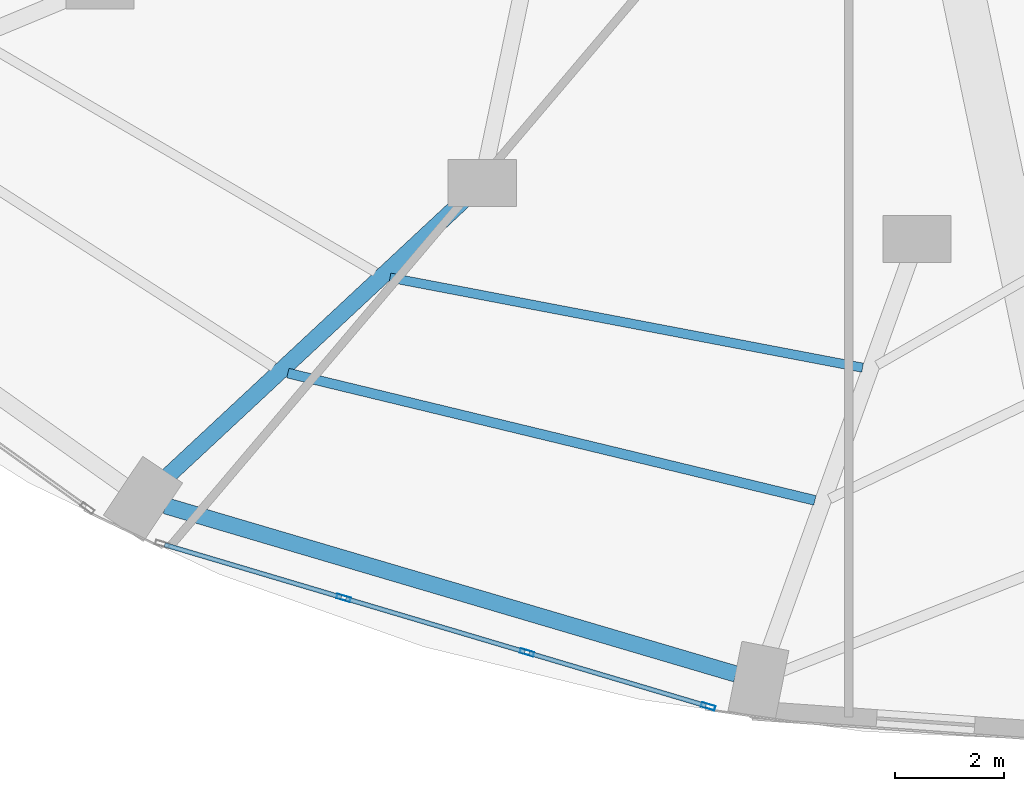
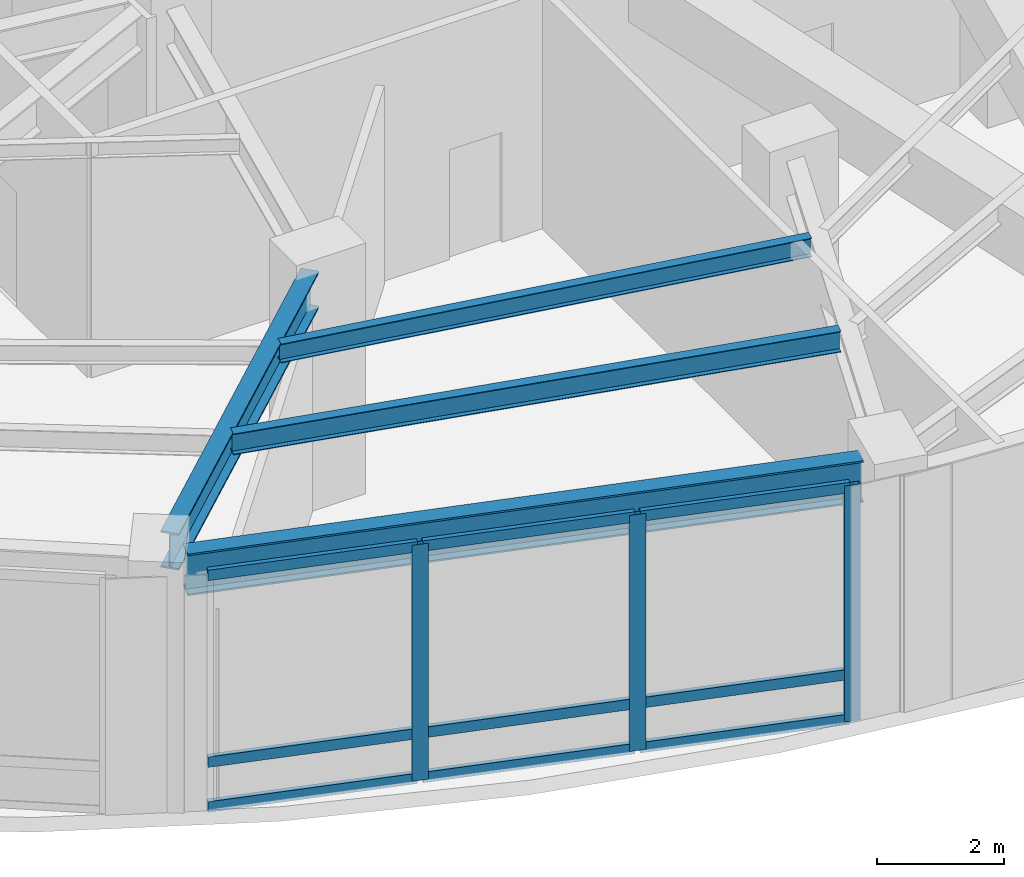
# One storey, part 3 of 24: 12 members, 4 beams, 1 element without a shape of its own.
"""IFC4 building model written with IfcOpenShell, lengths in metres."""

from ifc_helpers import new_model, si_unit, direction, frame, origin, origin_2d, place, context, subcontext, project, spatial, hollow_rectangle, i_section, extrude, material, layer, layer_set, material_profile, profile_set, type_object, element, aggregate, save


model = new_model("IFC4")

# Units and contexts
model_context = context("Model", 3, precision=1e-05, world=origin(), true_north=direction((0.0, 1.0)))
body_context = subcontext(model_context, "Body", "Model", "MODEL_VIEW")
ifc_project = project(units=[si_unit("LENGTHUNIT", "METRE"), si_unit("AREAUNIT", "SQUARE_METRE"), si_unit("VOLUMEUNIT", "CUBIC_METRE"), si_unit("PLANEANGLEUNIT", "RADIAN"), si_unit("MASSUNIT", "GRAM", prefix="KILO")], contexts=[model_context])

# Site, building, storey
site_placement = place(None, origin())
site = spatial("IfcSite", under=ifc_project, at=site_placement, CompositionType="ELEMENT")
building_placement = place(site_placement, origin())
building = spatial("IfcBuilding", under=site, at=building_placement, Name="Lazwardi Medical Tower", CompositionType="ELEMENT")
storey_placement = place(building_placement, frame((0.0, 0.0, 6.0)))
storey = spatial("IfcBuildingStorey", under=building, at=storey_placement, Name="L01", CompositionType="ELEMENT", Elevation=6.0)

# Beams
ifc_material_1 = material(Name="Steel S355", Category="steel")
ifc_material_profile_1 = material_profile(ifc_material_1, i_section(OverallWidth=0.300048828125, OverallDepth=0.800048828125, WebThickness=0.017578125, FlangeThickness=0.032958984375, at=origin_2d()), Name="HEB 800")
ifc_profile_set_1 = profile_set([ifc_material_profile_1], Name="Steel S355")
beam_type_1 = type_object("IfcBeamType", Name="BM-RB-P1", PredefinedType="BEAM", material=ifc_profile_set_1)
beam_1_placement = place(storey_placement, frame((19.023193359375, 6.9365234375, 4.1201171875), z_axis=(0.959103395471, -0.283055960537, 0.0), x_axis=(0.283055960537, 0.959103395471, 0.0)))
element("IfcBeam", 1, at=beam_1_placement, inside=storey, type_object=beam_type_1, Name="Ring beam RB-01 B15 L01", PredefinedType="BEAM", context=body_context, shape_type="SweptSolid", body=[
    extrude(i_section(OverallWidth=0.300048828125, OverallDepth=0.800048828125, WebThickness=0.017578125, FlangeThickness=0.032958984375, at=origin_2d()), origin(), (0.0, 0.0, 1.0), 10.904052734375),
])
ifc_material_profile_2 = material_profile(ifc_material_1, i_section(OverallWidth=0.300048828125, OverallDepth=0.699951171875, WebThickness=0.01708984375, FlangeThickness=0.031982421875, at=origin_2d()), Name="HEB 700")
ifc_profile_set_2 = profile_set([ifc_material_profile_2], Name="Steel S355")
beam_type_2 = type_object("IfcBeamType", Name="BM-RG-P1", PredefinedType="BEAM", material=ifc_profile_set_2)
beam_2_placement = place(storey_placement, frame((19.034912109375, 7.45361328125, 4.169921875), z_axis=(0.731585142998, 0.681750085108, 0.0), x_axis=(-0.681750085108, 0.731585142998, 0.0)))
element("IfcBeam", 2, at=beam_2_placement, inside=storey, type_object=beam_type_2, Name="Radial girder RG-01 R15A L01", PredefinedType="BEAM", context=body_context, shape_type="SweptSolid", body=[
    extrude(i_section(OverallWidth=0.300048828125, OverallDepth=0.699951171875, WebThickness=0.01708984375, FlangeThickness=0.031982421875, at=origin_2d()), origin(), (0.0, 0.0, 1.0), 7.52001953125),
])
ifc_material_profile_3 = material_profile(ifc_material_1, i_section(OverallWidth=0.179931640625, OverallDepth=0.39990234375, WebThickness=0.008544921875, FlangeThickness=0.013427734375, at=origin_2d()), Name="IPE 400")
ifc_profile_set_3 = profile_set([ifc_material_profile_3], Name="Steel S355")
beam_type_3 = type_object("IfcBeamType", Name="BM-SJ-01", PredefinedType="JOIST", material=ifc_profile_set_3)
beam_3_placement = place(storey_placement, frame((21.2666015625, 9.36767578125, 4.320068359375), z_axis=(0.972056312289, -0.234747791767, 0.0), x_axis=(0.234747791767, 0.972056312289, 0.0)))
element("IfcBeam", 3, at=beam_3_placement, inside=storey, type_object=beam_type_3, Name="Secondary joist SJ-01 RO1 B15 L01", PredefinedType="JOIST", context=body_context, shape_type="SweptSolid", body=[
    extrude(i_section(OverallWidth=0.179931640625, OverallDepth=0.39990234375, WebThickness=0.008544921875, FlangeThickness=0.013427734375, at=origin_2d()), origin(), (0.0, 0.0, 1.0), 9.9384765625),
])
ifc_material_profile_4 = material_profile(ifc_material_1, i_section(OverallWidth=0.169921875, OverallDepth=0.360107421875, WebThickness=0.008056640625, FlangeThickness=0.0126953125, at=origin_2d()), Name="IPE 360")
ifc_profile_set_4 = profile_set([ifc_material_profile_4], Name="Steel S355")
beam_type_4 = type_object("IfcBeamType", Name="BM-SJ-02", PredefinedType="JOIST", material=ifc_profile_set_4)
beam_4_placement = place(storey_placement, frame((23.138427734375, 11.11767578125, 4.340087890625), z_axis=(0.982322570595, -0.187196066463, 0.0), x_axis=(0.187196066463, 0.982322570595, 0.0)))
element("IfcBeam", 4, at=beam_4_placement, inside=storey, type_object=beam_type_4, Name="Secondary joist SJ-02 RO2 B15 L01", PredefinedType="JOIST", context=body_context, shape_type="SweptSolid", body=[
    extrude(i_section(OverallWidth=0.169921875, OverallDepth=0.360107421875, WebThickness=0.008056640625, FlangeThickness=0.0126953125, at=origin_2d()), origin(), (0.0, 0.0, 1.0), 8.819091796875),
])

# Curtain wall, members
ifc_material_2 = material(Name="Anodised bronze aluminium and solar control glazing", Category="aluminium")
ifc_layer = layer(ifc_material_2, 0.219970703125)
ifc_layer_set = layer_set([ifc_layer], Name="Anodised bronze aluminium and solar control glazing")
curtain_wall_type = type_object("IfcCurtainWallType", Name="CW-SYS-01", PredefinedType="NOTDEFINED", material=ifc_layer_set)
curtain_wall_placement = place(storey_placement, origin())
curtain_wall = element("IfcCurtainWall", 5, at=curtain_wall_placement, inside=storey, type_object=curtain_wall_type, Name="L01 Unitised bronze curtain wall CW-01", PredefinedType="NOTDEFINED")
ifc_material_3 = material(Name="Anodised bronze aluminium", Category="aluminium")
ifc_material_profile_5 = material_profile(ifc_material_3, hollow_rectangle(XDim=0.0849609375, YDim=0.260009765625, WallThickness=0.0048828125, at=origin_2d()), Name="ALU-MULLION 260x85x5")
ifc_profile_set_5 = profile_set([ifc_material_profile_5], Name="Anodised bronze aluminium")
member_type_1 = type_object("IfcMemberType", Name="CW-MUL-02", PredefinedType="MULLION", material=ifc_profile_set_5)
member_1_placement = place(storey_placement, frame((22.28759765625, 5.245849609375, 0.0), z_axis=(0.0, 0.0, 1.0), x_axis=(0.285047195531, 0.958513482597, 0.0)))
member_1 = element("IfcMember", 6, at=member_1_placement, type_object=member_type_1, Name="CW-01 mullion 2", PredefinedType="MULLION", context=body_context, shape_type="SweptSolid", body=[
    extrude(hollow_rectangle(XDim=0.0849609375, YDim=0.260009765625, WallThickness=0.0048828125, at=origin_2d()), origin(), (0.0, 0.0, 1.0), 4.52001953125),
])
member_2_placement = place(storey_placement, frame((25.649658203125, 4.245849609375, 0.0), z_axis=(0.0, 0.0, 1.0), x_axis=(0.285047195531, 0.958513482597, 0.0)))
member_2 = element("IfcMember", 7, at=member_2_placement, type_object=member_type_1, Name="CW-01 mullion 3", PredefinedType="MULLION", context=body_context, shape_type="SweptSolid", body=[
    extrude(hollow_rectangle(XDim=0.0849609375, YDim=0.260009765625, WallThickness=0.0048828125, at=origin_2d()), origin(), (0.0, 0.0, 1.0), 4.52001953125),
])
member_3_placement = place(storey_placement, frame((28.97119140625, 3.25830078125, 0.0), z_axis=(0.0, 0.0, 1.0), x_axis=(0.285047195531, 0.958513482597, 0.0)))
member_3 = element("IfcMember", 8, at=member_3_placement, type_object=member_type_1, Name="CW-01 mullion 4", PredefinedType="MULLION", context=body_context, shape_type="SweptSolid", body=[
    extrude(hollow_rectangle(XDim=0.0849609375, YDim=0.260009765625, WallThickness=0.0048828125, at=origin_2d()), origin(), (0.0, 0.0, 1.0), 4.52001953125),
])
ifc_material_profile_6 = material_profile(ifc_material_3, hollow_rectangle(XDim=0.0849609375, YDim=0.199951171875, WallThickness=0.00439453125, at=origin_2d()), Name="ALU-TRANSOM 200x85x4.5")
ifc_profile_set_6 = profile_set([ifc_material_profile_6], Name="Anodised bronze aluminium")
member_type_2 = type_object("IfcMemberType", Name="CW-TRN-02", PredefinedType="USERDEFINED", material=ifc_profile_set_6)
member_4_placement = place(storey_placement, frame((19.0068359375, 6.221435546875, 0.04248046875), z_axis=(0.958525157923, -0.285007932572, 0.0), x_axis=(0.285007932572, 0.958525157923, 0.0)))
member_4 = element("IfcMember", 9, at=member_4_placement, type_object=member_type_2, Name="CW-01 transom 1.1", ObjectType="TRANSOM", PredefinedType="USERDEFINED", context=body_context, shape_type="SweptSolid", body=[
    extrude(hollow_rectangle(XDim=0.0849609375, YDim=0.199951171875, WallThickness=0.00439453125, at=origin_2d()), origin(), (0.0, 0.0, 1.0), 3.380126953125),
])
member_5_placement = place(storey_placement, frame((19.0068359375, 6.221435546875, 0.89990234375), z_axis=(0.958525157923, -0.285007932572, 0.0), x_axis=(0.285007932572, 0.958525157923, 0.0)))
member_5 = element("IfcMember", 10, at=member_5_placement, type_object=member_type_2, Name="CW-01 transom 1.2", ObjectType="TRANSOM", PredefinedType="USERDEFINED", context=body_context, shape_type="SweptSolid", body=[
    extrude(hollow_rectangle(XDim=0.0849609375, YDim=0.199951171875, WallThickness=0.00439453125, at=origin_2d()), origin(), (0.0, 0.0, 1.0), 3.380126953125),
])
member_6_placement = place(storey_placement, frame((19.0068359375, 6.221435546875, 4.4775390625), z_axis=(0.958525157923, -0.285007932572, 0.0), x_axis=(0.285007932572, 0.958525157923, 0.0)))
member_6 = element("IfcMember", 11, at=member_6_placement, type_object=member_type_2, Name="CW-01 transom 1.3", ObjectType="TRANSOM", PredefinedType="USERDEFINED", context=body_context, shape_type="SweptSolid", body=[
    extrude(hollow_rectangle(XDim=0.0849609375, YDim=0.199951171875, WallThickness=0.00439453125, at=origin_2d()), origin(), (0.0, 0.0, 1.0), 3.380126953125),
])
member_7_placement = place(storey_placement, frame((22.328125, 5.233642578125, 0.04248046875), z_axis=(0.958518450342, -0.285030490219, 0.0), x_axis=(0.285030490219, 0.958518450342, 0.0)))
member_7 = element("IfcMember", 12, at=member_7_placement, type_object=member_type_2, Name="CW-01 transom 2.1", ObjectType="TRANSOM", PredefinedType="USERDEFINED", context=body_context, shape_type="SweptSolid", body=[
    extrude(hollow_rectangle(XDim=0.0849609375, YDim=0.199951171875, WallThickness=0.00439453125, at=origin_2d()), origin(), (0.0, 0.0, 1.0), 3.4228515625),
])
member_8_placement = place(storey_placement, frame((22.328125, 5.233642578125, 0.89990234375), z_axis=(0.958518450342, -0.285030490219, 0.0), x_axis=(0.285030490219, 0.958518450342, 0.0)))
member_8 = element("IfcMember", 13, at=member_8_placement, type_object=member_type_2, Name="CW-01 transom 2.2", ObjectType="TRANSOM", PredefinedType="USERDEFINED", context=body_context, shape_type="SweptSolid", body=[
    extrude(hollow_rectangle(XDim=0.0849609375, YDim=0.199951171875, WallThickness=0.00439453125, at=origin_2d()), origin(), (0.0, 0.0, 1.0), 3.4228515625),
])
member_9_placement = place(storey_placement, frame((22.328125, 5.233642578125, 4.4775390625), z_axis=(0.958518450342, -0.285030490219, 0.0), x_axis=(0.285030490219, 0.958518450342, 0.0)))
member_9 = element("IfcMember", 14, at=member_9_placement, type_object=member_type_2, Name="CW-01 transom 2.3", ObjectType="TRANSOM", PredefinedType="USERDEFINED", context=body_context, shape_type="SweptSolid", body=[
    extrude(hollow_rectangle(XDim=0.0849609375, YDim=0.199951171875, WallThickness=0.00439453125, at=origin_2d()), origin(), (0.0, 0.0, 1.0), 3.4228515625),
])
member_10_placement = place(storey_placement, frame((25.6904296875, 4.23388671875, 0.04248046875), z_axis=(0.958505424522, -0.285074290603, 0.0), x_axis=(0.285074290603, 0.958505424522, 0.0)))
member_10 = element("IfcMember", 15, at=member_10_placement, type_object=member_type_2, Name="CW-01 transom 3.1", ObjectType="TRANSOM", PredefinedType="USERDEFINED", context=body_context, shape_type="SweptSolid", body=[
    extrude(hollow_rectangle(XDim=0.0849609375, YDim=0.199951171875, WallThickness=0.00439453125, at=origin_2d()), origin(), (0.0, 0.0, 1.0), 3.38037109375),
])
member_11_placement = place(storey_placement, frame((25.6904296875, 4.23388671875, 0.89990234375), z_axis=(0.958505424522, -0.285074290603, 0.0), x_axis=(0.285074290603, 0.958505424522, 0.0)))
member_11 = element("IfcMember", 16, at=member_11_placement, type_object=member_type_2, Name="CW-01 transom 3.2", ObjectType="TRANSOM", PredefinedType="USERDEFINED", context=body_context, shape_type="SweptSolid", body=[
    extrude(hollow_rectangle(XDim=0.0849609375, YDim=0.199951171875, WallThickness=0.00439453125, at=origin_2d()), origin(), (0.0, 0.0, 1.0), 3.38037109375),
])
member_12_placement = place(storey_placement, frame((25.6904296875, 4.23388671875, 4.4775390625), z_axis=(0.958505424522, -0.285074290603, 0.0), x_axis=(0.285074290603, 0.958505424522, 0.0)))
member_12 = element("IfcMember", 17, at=member_12_placement, type_object=member_type_2, Name="CW-01 transom 3.3", ObjectType="TRANSOM", PredefinedType="USERDEFINED", context=body_context, shape_type="SweptSolid", body=[
    extrude(hollow_rectangle(XDim=0.0849609375, YDim=0.199951171875, WallThickness=0.00439453125, at=origin_2d()), origin(), (0.0, 0.0, 1.0), 3.38037109375),
])
aggregate(curtain_wall, [member_1, member_2, member_3, member_4, member_5, member_6, member_7, member_8, member_9, member_10, member_11, member_12])

save(model, "model.ifc")
